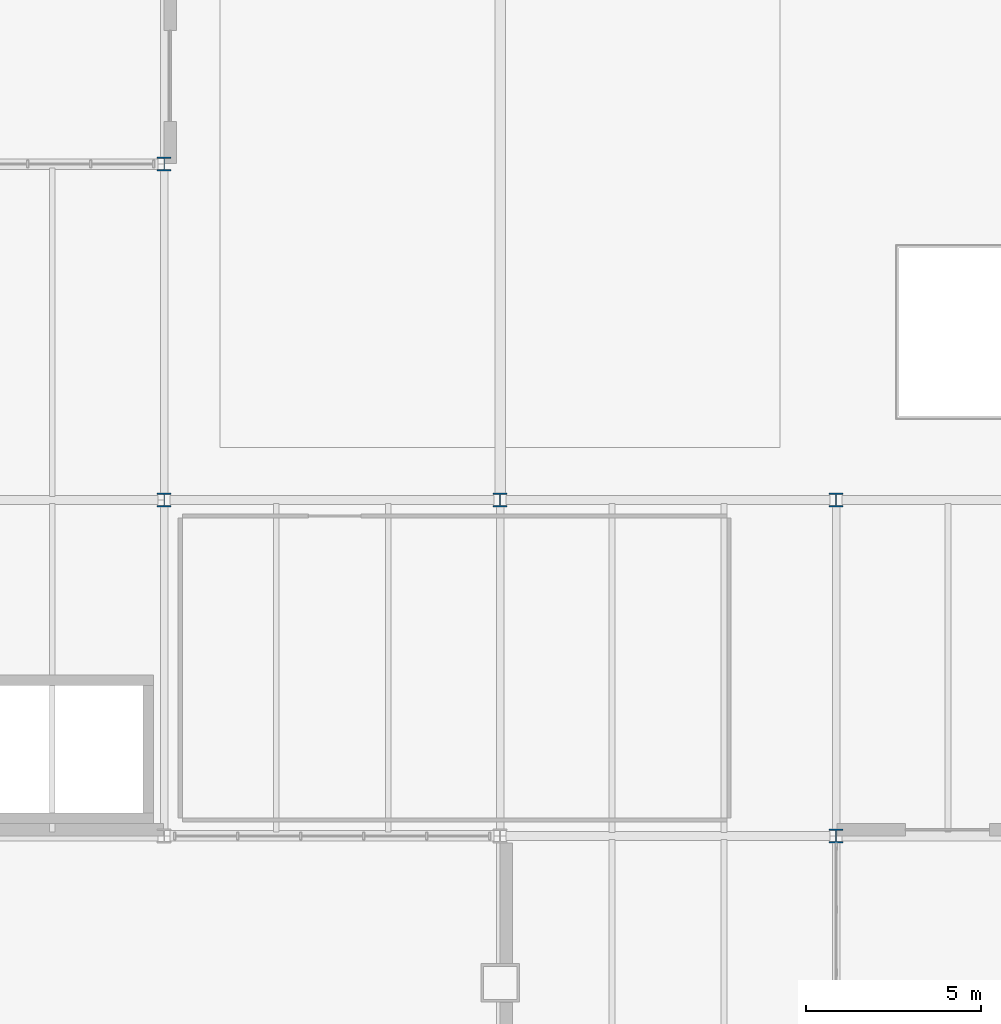
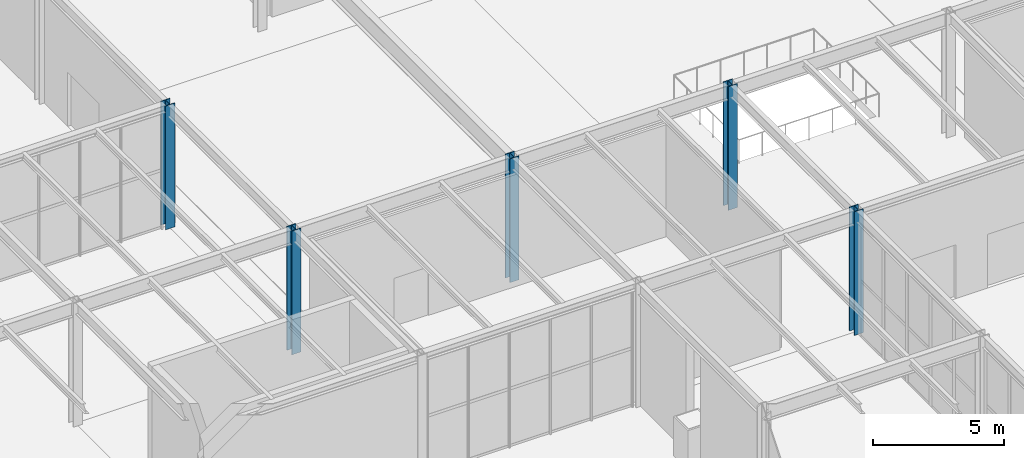
# One storey, part 10 of 142: 5 columns.
"""IFC4 building model written with IfcOpenShell, lengths in metres."""

from ifc_helpers import new_model, si_unit, direction, frame, origin, origin_2d, place, context, subcontext, project, spatial, i_section, extrude, material, material_profile, profile_set, type_object, element, save


model = new_model("IFC4")

# Units and contexts
model_context = context("Model", 3, precision=1e-05, world=origin(), true_north=direction((0.0, 1.0)))
body_context = subcontext(model_context, "Body", "Model", "MODEL_VIEW")
ifc_project = project(units=[si_unit("LENGTHUNIT", "METRE"), si_unit("AREAUNIT", "SQUARE_METRE"), si_unit("VOLUMEUNIT", "CUBIC_METRE"), si_unit("PLANEANGLEUNIT", "RADIAN"), si_unit("MASSUNIT", "GRAM", prefix="KILO")], contexts=[model_context])

# Site, building, storey
site_placement = place(None, origin())
site = spatial("IfcSite", under=ifc_project, at=site_placement, CompositionType="ELEMENT")
building_placement = place(site_placement, origin())
building = spatial("IfcBuilding", under=site, at=building_placement, Name="Coralgate Yard Interchange", CompositionType="ELEMENT")
storey_placement = place(building_placement, origin())
storey = spatial("IfcBuildingStorey", under=building, at=storey_placement, Name="L00", CompositionType="ELEMENT", Elevation=0.0)

# Columns
ifc_material = material(Name="Structural steel S355J2", Category="steel")
ifc_material_profile = material_profile(ifc_material, i_section(OverallWidth=0.39892578125, OverallDepth=0.3935546875, WebThickness=0.022705078125, FlangeThickness=0.03662109375, FilletRadius=0.01513671875, at=origin_2d()), Name="UC 356x406x287")
ifc_profile_set = profile_set([ifc_material_profile], Name="Structural steel S355J2")
column_type = type_object("IfcColumnType", Name="COL-SC-1", PredefinedType="COLUMN", material=ifc_profile_set)
for number, where, z_axis, x_axis, name in (
    (1, (38.39990234375, 48.0, 0.0), (0.0, 0.0, 1.0), (1.0, 0.0, 0.0), "L00 structural column 4-5"),
    (2, (38.39990234375, 57.60009765625, 0.0), (0.0, 0.0, 1.0), (1.0, 0.0, 0.0), "L00 structural column 4-6"),
    (3, (48.0, 48.0, 0.0), (0.0, 0.0, 1.0), (1.0, 0.0, 0.0), "L00 structural column 5-5"),
    (4, (57.60009765625, 38.39990234375, 0.0), (0.0, 0.0, 1.0), (1.0, 0.0, 0.0), "L00 structural column 6-4"),
    (5, (57.60009765625, 48.0, 0.0), (0.0, 0.0, 1.0), (1.0, 0.0, 0.0), "L00 structural column 6-5"),
):
    element("IfcColumn", number, at=place(storey_placement, frame(where, z_axis=z_axis, x_axis=x_axis)), inside=storey, type_object=column_type, Name=name, PredefinedType="COLUMN", context=body_context, shape_type="SweptSolid", body=[
        extrude(i_section(OverallWidth=0.39892578125, OverallDepth=0.3935546875, WebThickness=0.022705078125, FlangeThickness=0.03662109375, FilletRadius=0.01513671875, at=origin_2d()), origin(), (0.0, 0.0, 1.0), 5.75),
    ])

save(model, "model.ifc")
